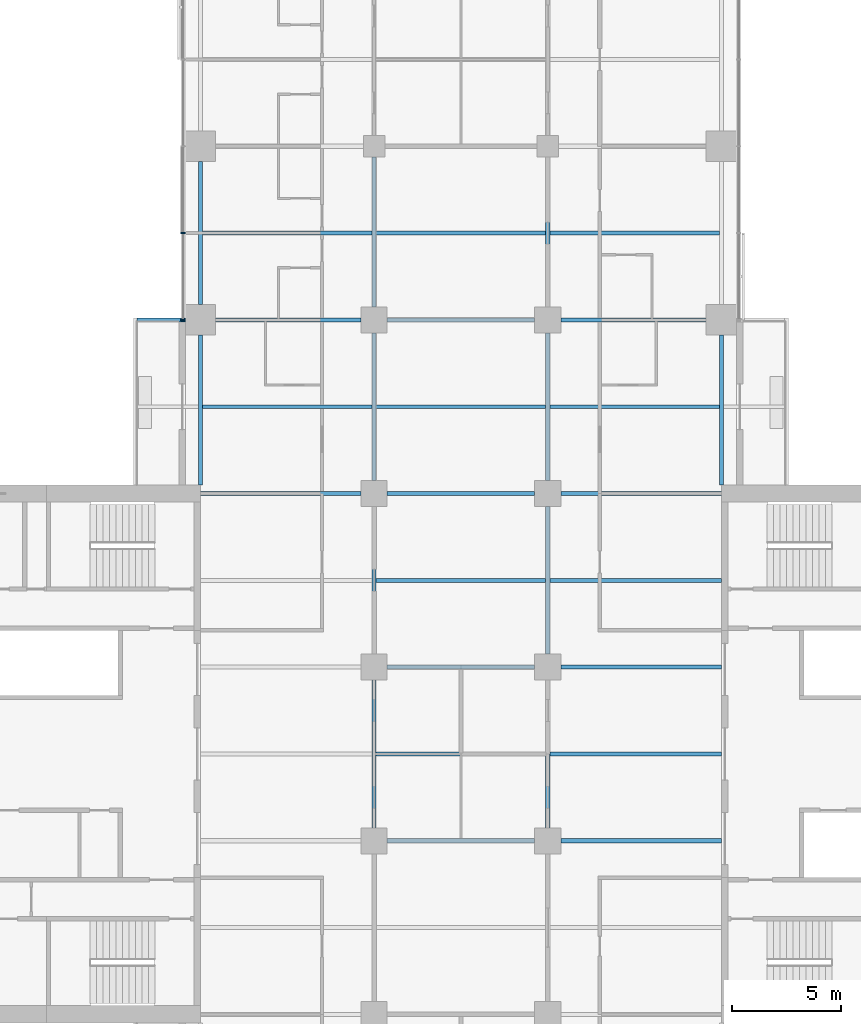
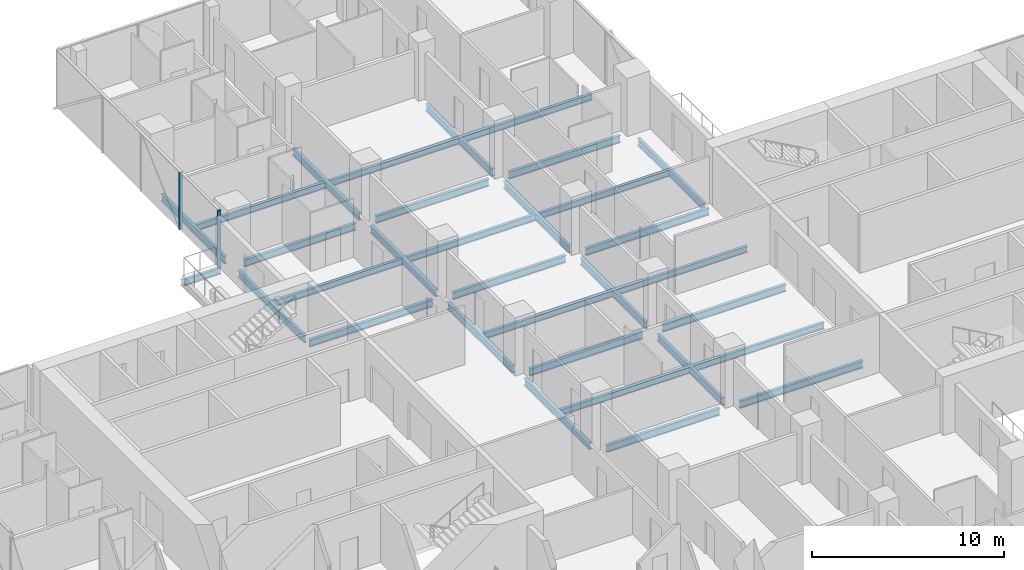
# One storey, part 9 of 27: 32 beams, 2 members, 1 element without a shape of its own.
"""IFC4 building model written with IfcOpenShell, lengths in metres."""

from ifc_helpers import new_model, si_unit, direction, frame, origin, origin_2d, place, context, subcontext, project, spatial, rectangle, i_section, extrude, material, material_profile, profile_set, type_object, element, aggregate, save


model = new_model("IFC4")

# Units and contexts
model_context = context("Model", 3, precision=1e-05, world=origin(), true_north=direction((0.0, 1.0)))
body_context = subcontext(model_context, "Body", "Model", "MODEL_VIEW")
ifc_project = project(units=[si_unit("LENGTHUNIT", "METRE"), si_unit("AREAUNIT", "SQUARE_METRE"), si_unit("VOLUMEUNIT", "CUBIC_METRE"), si_unit("PLANEANGLEUNIT", "RADIAN"), si_unit("MASSUNIT", "GRAM", prefix="KILO")], contexts=[model_context])

# Site, building, storey
site_placement = place(None, origin())
site = spatial("IfcSite", under=ifc_project, at=site_placement, CompositionType="ELEMENT")
building_placement = place(site_placement, origin())
building = spatial("IfcBuilding", under=site, at=building_placement, Name="Crosswind Convention Tower", CompositionType="ELEMENT")
storey_placement = place(building_placement, frame((0.0, 0.0, 94.199951171875)))
storey = spatial("IfcBuildingStorey", under=building, at=storey_placement, Name="L18", CompositionType="ELEMENT", Elevation=94.199951171875)

# Beams
ifc_material_1 = material(Name="Steel S355", Category="steel")
ifc_material_profile_1 = material_profile(ifc_material_1, i_section(OverallWidth=0.177734375, OverallDepth=0.406494140625, WebThickness=0.0078125, FlangeThickness=0.0126953125, FilletRadius=0.01025390625, at=origin_2d()), Name="UB 406x178x60")
ifc_profile_set_1 = profile_set([ifc_material_profile_1], Name="Steel S355")
beam_type_1 = type_object("IfcBeamType", Name="Balcony cantilever UB 406x178x60", PredefinedType="BEAM", material=ifc_profile_set_1)
beam_1_placement = place(storey_placement, frame((112.300048828125, 120.0, -0.483154296875), z_axis=(-1.0, 0.0, 0.0), x_axis=(0.0, -1.0, 0.0)))
element("IfcBeam", 1, at=beam_1_placement, inside=storey, type_object=beam_type_1, Name="B35 L18 balcony cantilever NW 5", PredefinedType="BEAM", context=body_context, shape_type="SweptSolid", body=[
    extrude(i_section(OverallWidth=0.177734375, OverallDepth=0.406494140625, WebThickness=0.0078125, FlangeThickness=0.0126953125, FilletRadius=0.01025390625, at=origin_2d()), origin(), (0.0, 0.0, 1.0), 2.214599609375),
])
ifc_material_profile_2 = material_profile(ifc_material_1, i_section(OverallWidth=0.1904296875, OverallDepth=0.457275390625, WebThickness=0.009033203125, FlangeThickness=0.014404296875, FilletRadius=0.01025390625, at=origin_2d()), Name="UB 457x191x75")
ifc_profile_set_2 = profile_set([ifc_material_profile_2], Name="Steel S355")
beam_type_2 = type_object("IfcBeamType", Name="Edge beam UB 457x191x75", PredefinedType="SPANDREL", material=ifc_profile_set_2)
beam_2_placement = place(storey_placement, frame((113.0, 112.39990234375, -0.508544921875), z_axis=(0.0, 1.0, 0.0), x_axis=(-1.0, 0.0, 0.0)))
element("IfcBeam", 2, at=beam_2_placement, inside=storey, type_object=beam_type_2, Name="B17 L18 edge beam 9", PredefinedType="SPANDREL", context=body_context, shape_type="SweptSolid", body=[
    extrude(i_section(OverallWidth=0.1904296875, OverallDepth=0.457275390625, WebThickness=0.009033203125, FlangeThickness=0.014404296875, FilletRadius=0.01025390625, at=origin_2d()), origin(), (0.0, 0.0, 1.0), 6.900146484375),
])
beam_3_placement = place(storey_placement, frame((113.0, 120.699951171875, -0.508544921875), z_axis=(0.0, 1.0, 0.0), x_axis=(-1.0, 0.0, 0.0)))
element("IfcBeam", 3, at=beam_3_placement, inside=storey, type_object=beam_type_2, Name="B17 L18 edge beam 10", PredefinedType="SPANDREL", context=body_context, shape_type="SweptSolid", body=[
    extrude(i_section(OverallWidth=0.1904296875, OverallDepth=0.457275390625, WebThickness=0.009033203125, FlangeThickness=0.014404296875, FilletRadius=0.01025390625, at=origin_2d()), origin(), (0.0, 0.0, 1.0), 6.60009765625),
])
beam_4_placement = place(storey_placement, frame((137.0, 112.39990234375, -0.508544921875), z_axis=(0.0, 1.0, 0.0), x_axis=(-1.0, 0.0, 0.0)))
element("IfcBeam", 4, at=beam_4_placement, inside=storey, type_object=beam_type_2, Name="B17 L18 edge beam 21", PredefinedType="SPANDREL", context=body_context, shape_type="SweptSolid", body=[
    extrude(i_section(OverallWidth=0.1904296875, OverallDepth=0.457275390625, WebThickness=0.009033203125, FlangeThickness=0.014404296875, FilletRadius=0.01025390625, at=origin_2d()), origin(), (0.0, 0.0, 1.0), 6.900146484375),
])
ifc_material_profile_3 = material_profile(ifc_material_1, i_section(OverallWidth=0.19140625, OverallDepth=0.460205078125, WebThickness=0.010009765625, FlangeThickness=0.01611328125, FilletRadius=0.01025390625, at=origin_2d()), Name="UB 457x191x82")
ifc_profile_set_3 = profile_set([ifc_material_profile_3], Name="Steel S355")
beam_type_3 = type_object("IfcBeamType", Name="Girder UB 457x191x82", PredefinedType="BEAM", material=ifc_profile_set_3)
beam_5_placement = place(storey_placement, frame((113.699951171875, 120.0, -0.510009765625), z_axis=(1.0, 0.0, 0.0), x_axis=(0.0, 1.0, 0.0)))
element("IfcBeam", 5, at=beam_5_placement, inside=storey, type_object=beam_type_3, Name="B3 L18 girder 3", PredefinedType="BEAM", context=body_context, shape_type="SweptSolid", body=[
    extrude(i_section(OverallWidth=0.19140625, OverallDepth=0.460205078125, WebThickness=0.010009765625, FlangeThickness=0.01611328125, FilletRadius=0.01025390625, at=origin_2d()), origin(), (0.0, 0.0, 1.0), 6.699951171875),
])
for number, where, z_axis, x_axis, name in (
    (6, (121.0, 96.60009765625, -0.510009765625), (0.0, 1.0, 0.0), (-1.0, 0.0, 0.0), "B3 L18 girder 9"),
    (7, (121.0, 104.60009765625, -0.510009765625), (0.0, 1.0, 0.0), (-1.0, 0.0, 0.0), "B3 L18 girder 10"),
    (8, (121.0, 112.60009765625, -0.510009765625), (0.0, 1.0, 0.0), (-1.0, 0.0, 0.0), "B3 L18 girder 11"),
):
    element("IfcBeam", number, at=place(storey_placement, frame(where, z_axis=z_axis, x_axis=x_axis)), inside=storey, type_object=beam_type_3, Name=name, PredefinedType="BEAM", context=body_context, shape_type="SweptSolid", body=[
        extrude(i_section(OverallWidth=0.19140625, OverallDepth=0.460205078125, WebThickness=0.010009765625, FlangeThickness=0.01611328125, FilletRadius=0.01025390625, at=origin_2d()), origin(), (0.0, 0.0, 1.0), 6.7998046875),
    ])
beam_6_placement = place(storey_placement, frame((121.0, 120.60009765625, -0.510009765625), z_axis=(0.0, 1.0, 0.0), x_axis=(-1.0, 0.0, 0.0)))
element("IfcBeam", 9, at=beam_6_placement, inside=storey, type_object=beam_type_3, Name="B3 L18 girder 12", PredefinedType="BEAM", context=body_context, shape_type="SweptSolid", body=[
    extrude(i_section(OverallWidth=0.19140625, OverallDepth=0.460205078125, WebThickness=0.010009765625, FlangeThickness=0.01611328125, FilletRadius=0.01025390625, at=origin_2d()), origin(), (0.0, 0.0, 1.0), 6.89990234375),
])
for number, where, z_axis, x_axis, name in (
    (10, (121.60009765625, 96.0, -0.510009765625), (1.0, 0.0, 0.0), (0.0, 1.0, 0.0), "B3 L18 girder 18"),
    (11, (121.60009765625, 104.0, -0.510009765625), (1.0, 0.0, 0.0), (0.0, 1.0, 0.0), "B3 L18 girder 19"),
    (12, (121.60009765625, 112.0, -0.510009765625), (1.0, 0.0, 0.0), (0.0, 1.0, 0.0), "B3 L18 girder 20"),
    (13, (121.60009765625, 120.0, -0.510009765625), (1.0, 0.0, 0.0), (0.0, 1.0, 0.0), "B3 L18 girder 21"),
    (14, (129.0, 96.60009765625, -0.510009765625), (0.0, 1.0, 0.0), (-1.0, 0.0, 0.0), "B3 L18 girder 26"),
    (15, (129.0, 104.60009765625, -0.510009765625), (0.0, 1.0, 0.0), (-1.0, 0.0, 0.0), "B3 L18 girder 27"),
    (16, (129.0, 112.60009765625, -0.510009765625), (0.0, 1.0, 0.0), (-1.0, 0.0, 0.0), "B3 L18 girder 28"),
):
    element("IfcBeam", number, at=place(storey_placement, frame(where, z_axis=z_axis, x_axis=x_axis)), inside=storey, type_object=beam_type_3, Name=name, PredefinedType="BEAM", context=body_context, shape_type="SweptSolid", body=[
        extrude(i_section(OverallWidth=0.19140625, OverallDepth=0.460205078125, WebThickness=0.010009765625, FlangeThickness=0.01611328125, FilletRadius=0.01025390625, at=origin_2d()), origin(), (0.0, 0.0, 1.0), 6.7998046875),
    ])
beam_7_placement = place(storey_placement, frame((129.0, 120.60009765625, -0.510009765625), z_axis=(0.0, 1.0, 0.0), x_axis=(-1.0, 0.0, 0.0)))
element("IfcBeam", 17, at=beam_7_placement, inside=storey, type_object=beam_type_3, Name="B3 L18 girder 29", PredefinedType="BEAM", context=body_context, shape_type="SweptSolid", body=[
    extrude(i_section(OverallWidth=0.19140625, OverallDepth=0.460205078125, WebThickness=0.010009765625, FlangeThickness=0.01611328125, FilletRadius=0.01025390625, at=origin_2d()), origin(), (0.0, 0.0, 1.0), 6.89990234375),
])
beam_8_placement = place(storey_placement, frame((129.60009765625, 120.0, -0.510009765625), z_axis=(1.0, 0.0, 0.0), x_axis=(0.0, 1.0, 0.0)))
element("IfcBeam", 18, at=beam_8_placement, inside=storey, type_object=beam_type_3, Name="B3 L18 girder 34", PredefinedType="BEAM", context=body_context, shape_type="SweptSolid", body=[
    extrude(i_section(OverallWidth=0.19140625, OverallDepth=0.460205078125, WebThickness=0.010009765625, FlangeThickness=0.01611328125, FilletRadius=0.01025390625, at=origin_2d()), origin(), (0.0, 0.0, 1.0), 6.699951171875),
])
ifc_material_profile_4 = material_profile(ifc_material_1, i_section(OverallWidth=0.19189453125, OverallDepth=0.463623046875, WebThickness=0.010498046875, FlangeThickness=0.017578125, FilletRadius=0.01025390625, at=origin_2d()), Name="UB 457x191x90")
ifc_profile_set_4 = profile_set([ifc_material_profile_4], Name="Steel S355")
beam_type_4 = type_object("IfcBeamType", Name="Girder at core wall UB 457x191x90", PredefinedType="BEAM", material=ifc_profile_set_4)
for number, where, z_axis, x_axis, name in (
    (19, (113.0, 112.0, -0.51171875), (1.0, 0.0, 0.0), (0.0, 1.0, 0.0), "B24 L18 girder at core wall 6"),
    (20, (129.60009765625, 96.0, -0.51171875), (1.0, 0.0, 0.0), (0.0, 1.0, 0.0), "B24 L18 girder at core wall 8"),
    (21, (129.60009765625, 104.0, -0.51171875), (1.0, 0.0, 0.0), (0.0, 1.0, 0.0), "B24 L18 girder at core wall 9"),
    (22, (129.60009765625, 112.0, -0.51171875), (1.0, 0.0, 0.0), (0.0, 1.0, 0.0), "B24 L18 girder at core wall 10"),
):
    element("IfcBeam", number, at=place(storey_placement, frame(where, z_axis=z_axis, x_axis=x_axis)), inside=storey, type_object=beam_type_4, Name=name, PredefinedType="BEAM", context=body_context, shape_type="SweptSolid", body=[
        extrude(i_section(OverallWidth=0.19189453125, OverallDepth=0.463623046875, WebThickness=0.010498046875, FlangeThickness=0.017578125, FilletRadius=0.01025390625, at=origin_2d()), origin(), (0.0, 0.0, 1.0), 7.39990234375),
    ])

# Curtain wall, members
ifc_material_2 = material(Name="Aluminium unitised curtain wall", Category="aluminium")
curtain_wall_type = type_object("IfcCurtainWallType", Name="HOTEL UNITISED WALL 200", PredefinedType="USERDEFINED", material=ifc_material_2)
curtain_wall_placement = place(storey_placement, origin())
curtain_wall = element("IfcCurtainWall", 23, at=curtain_wall_placement, inside=storey, type_object=curtain_wall_type, Name="CW2 L18 N-W 1", ObjectType="UNITISED", PredefinedType="USERDEFINED")
ifc_material_3 = material(Name="Aluminium mullion", Category="aluminium")
ifc_material_profile_5 = material_profile(ifc_material_3, rectangle(XDim=0.199951171875, YDim=0.06494140625, at=origin_2d()), Name="AL 200X65")
ifc_profile_set_5 = profile_set([ifc_material_profile_5], Name="Aluminium mullion")
member_type = type_object("IfcMemberType", Name="MULLION 65X200", PredefinedType="MULLION", material=ifc_profile_set_5)
member_1_placement = place(storey_placement, frame((112.199951171875, 124.0, -0.280029296875), z_axis=(0.0, 0.0, 1.0), x_axis=(-1.0, 0.0, 0.0)))
member_1 = element("IfcMember", 24, at=member_1_placement, type_object=member_type, Name="CW2 mullion 4", PredefinedType="MULLION", context=body_context, shape_type="SweptSolid", body=[
    extrude(rectangle(XDim=0.199951171875, YDim=0.06494140625, at=origin_2d()), origin(), (0.0, 0.0, 1.0), 3.635009765625),
])
member_2_placement = place(storey_placement, frame((112.199951171875, 120.0, -0.280029296875), z_axis=(0.0, 0.0, 1.0), x_axis=(-1.0, 0.0, 0.0)))
member_2 = element("IfcMember", 25, at=member_2_placement, type_object=member_type, Name="CW2 mullion 5", PredefinedType="MULLION", context=body_context, shape_type="SweptSolid", body=[
    extrude(rectangle(XDim=0.199951171875, YDim=0.06494140625, at=origin_2d()), origin(), (0.0, 0.0, 1.0), 3.635009765625),
])
aggregate(curtain_wall, [member_1, member_2])

# Beams
ifc_material_profile_6 = material_profile(ifc_material_1, i_section(OverallWidth=0.177734375, OverallDepth=0.406494140625, WebThickness=0.0078125, FlangeThickness=0.0126953125, FilletRadius=0.01025390625, at=origin_2d()), Name="UB 406x178x60")
ifc_profile_set_6 = profile_set([ifc_material_profile_6], Name="Steel S355")
beam_type_5 = type_object("IfcBeamType", Name="Secondary beam UB 406x178x60", PredefinedType="JOIST", material=ifc_profile_set_6)
for number, where, z_axis, x_axis, name in (
    (26, (113.09521484375, 116.0, -0.483154296875), (1.0, 0.0, 0.0), (0.0, 1.0, 0.0), "B10 L18 secondary beam 10"),
    (27, (113.09521484375, 124.0, -0.483154296875), (1.0, 0.0, 0.0), (0.0, 1.0, 0.0), "B10 L18 secondary beam 11"),
):
    element("IfcBeam", number, at=place(storey_placement, frame(where, z_axis=z_axis, x_axis=x_axis)), inside=storey, type_object=beam_type_5, Name=name, PredefinedType="JOIST", context=body_context, shape_type="SweptSolid", body=[
        extrude(i_section(OverallWidth=0.177734375, OverallDepth=0.406494140625, WebThickness=0.0078125, FlangeThickness=0.0126953125, FilletRadius=0.01025390625, at=origin_2d()), origin(), (0.0, 0.0, 1.0), 7.80908203125),
    ])
for number, where, z_axis, x_axis, name in (
    (28, (121.095703125, 100.0, -0.483154296875), (1.0, 0.0, 0.0), (0.0, 1.0, 0.0), "B10 L18 secondary beam 17"),
    (29, (121.095703125, 108.0, -0.483154296875), (1.0, 0.0, 0.0), (0.0, 1.0, 0.0), "B10 L18 secondary beam 18"),
    (30, (121.095703125, 116.0, -0.483154296875), (1.0, 0.0, 0.0), (0.0, 1.0, 0.0), "B10 L18 secondary beam 19"),
    (31, (121.095703125, 124.0, -0.483154296875), (1.0, 0.0, 0.0), (0.0, 1.0, 0.0), "B10 L18 secondary beam 20"),
):
    element("IfcBeam", number, at=place(storey_placement, frame(where, z_axis=z_axis, x_axis=x_axis)), inside=storey, type_object=beam_type_5, Name=name, PredefinedType="JOIST", context=body_context, shape_type="SweptSolid", body=[
        extrude(i_section(OverallWidth=0.177734375, OverallDepth=0.406494140625, WebThickness=0.0078125, FlangeThickness=0.0126953125, FilletRadius=0.01025390625, at=origin_2d()), origin(), (0.0, 0.0, 1.0), 7.80859375),
    ])
for number, where, z_axis, x_axis, name in (
    (32, (129.095703125, 100.0, -0.483154296875), (1.0, 0.0, 0.0), (0.0, 1.0, 0.0), "B10 L18 secondary beam 26"),
    (33, (129.095703125, 108.0, -0.483154296875), (1.0, 0.0, 0.0), (0.0, 1.0, 0.0), "B10 L18 secondary beam 27"),
):
    element("IfcBeam", number, at=place(storey_placement, frame(where, z_axis=z_axis, x_axis=x_axis)), inside=storey, type_object=beam_type_5, Name=name, PredefinedType="JOIST", context=body_context, shape_type="SweptSolid", body=[
        extrude(i_section(OverallWidth=0.177734375, OverallDepth=0.406494140625, WebThickness=0.0078125, FlangeThickness=0.0126953125, FilletRadius=0.01025390625, at=origin_2d()), origin(), (0.0, 0.0, 1.0), 7.904296875),
    ])
for number, where, z_axis, x_axis, name in (
    (34, (129.095703125, 116.0, -0.483154296875), (1.0, 0.0, 0.0), (0.0, 1.0, 0.0), "B10 L18 secondary beam 28"),
    (35, (129.095703125, 124.0, -0.483154296875), (1.0, 0.0, 0.0), (0.0, 1.0, 0.0), "B10 L18 secondary beam 29"),
):
    element("IfcBeam", number, at=place(storey_placement, frame(where, z_axis=z_axis, x_axis=x_axis)), inside=storey, type_object=beam_type_5, Name=name, PredefinedType="JOIST", context=body_context, shape_type="SweptSolid", body=[
        extrude(i_section(OverallWidth=0.177734375, OverallDepth=0.406494140625, WebThickness=0.0078125, FlangeThickness=0.0126953125, FilletRadius=0.01025390625, at=origin_2d()), origin(), (0.0, 0.0, 1.0), 7.80908203125),
    ])

save(model, "model.ifc")
